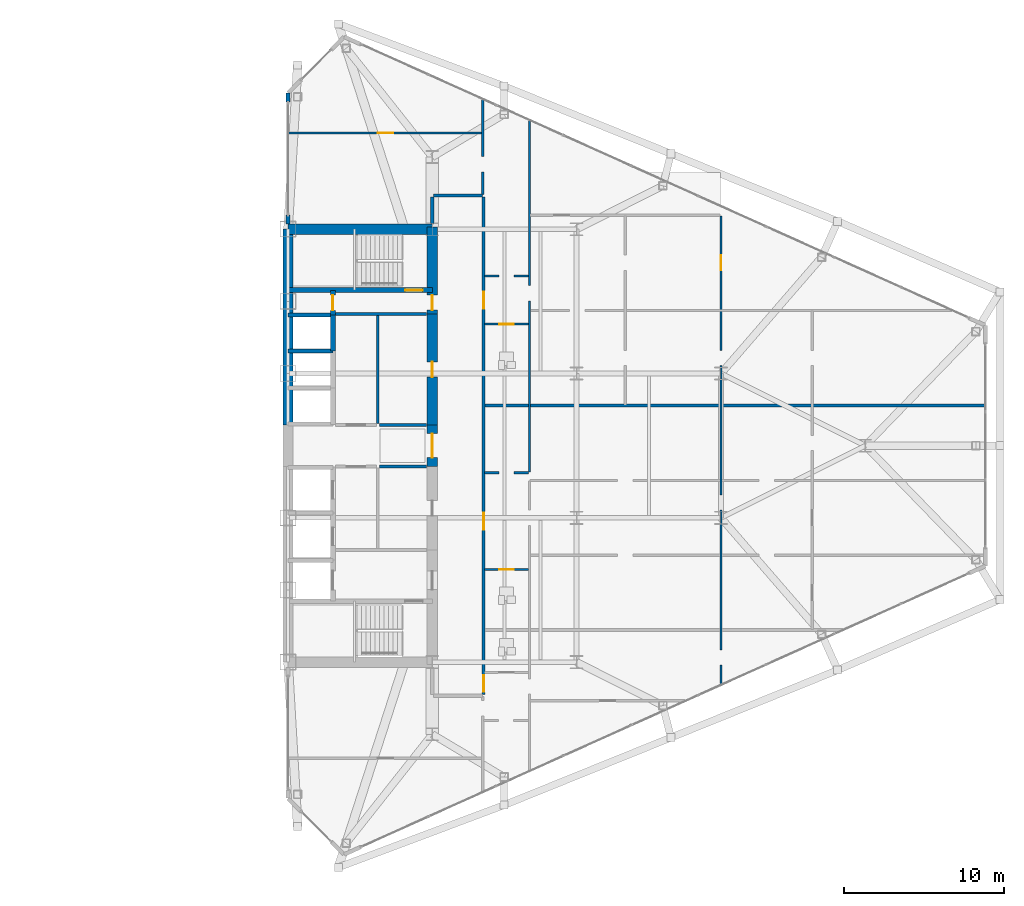
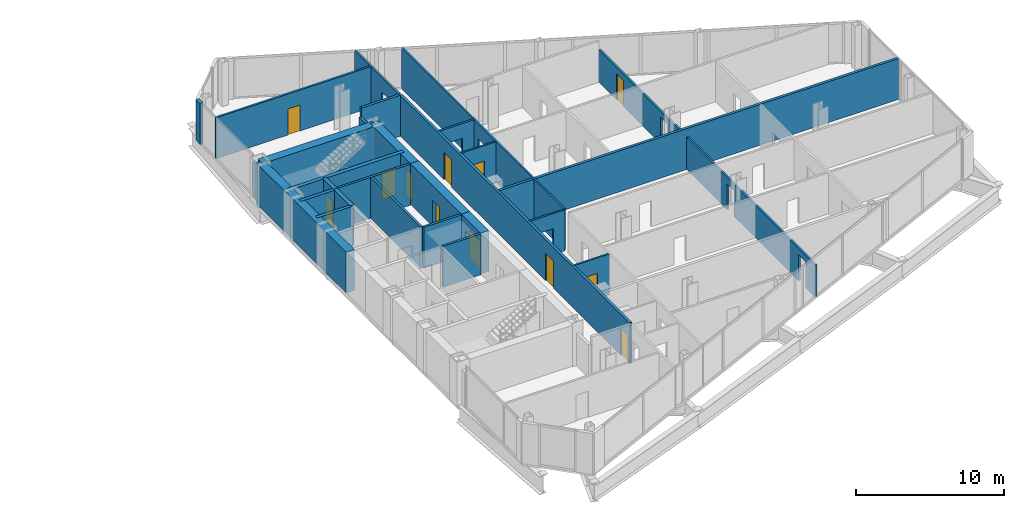
# One storey, part 24 of 29: 28 walls, 12 doors, 19 openings.
"""IFC4 building model written with IfcOpenShell, lengths in metres."""

from ifc_helpers import new_model, si_unit, direction, frame, frame_2d, origin, place, context, subcontext, project, spatial, rectangle, extrude, source, transform, mapped, material, layer, layer_set, type_object, type_shapes, element, fill, save


model = new_model("IFC4")

# Units and contexts
model_context = context("Model", 3, precision=1e-05, world=origin(), true_north=direction((0.0, 1.0)))
body_context = subcontext(model_context, "Body", "Model", "MODEL_VIEW")
ifc_project = project(units=[si_unit("LENGTHUNIT", "METRE"), si_unit("AREAUNIT", "SQUARE_METRE"), si_unit("VOLUMEUNIT", "CUBIC_METRE"), si_unit("PLANEANGLEUNIT", "RADIAN"), si_unit("MASSUNIT", "GRAM", prefix="KILO")], contexts=[model_context])

# Site, building, storey
site_placement = place(None, origin())
site = spatial("IfcSite", under=ifc_project, at=site_placement, CompositionType="ELEMENT")
building_placement = place(site_placement, origin())
building = spatial("IfcBuilding", under=site, at=building_placement, Name="Seokmaru Belvedere", CompositionType="ELEMENT")
storey_placement = place(building_placement, frame((0.0, 0.0, 62.10009765625)))
storey = spatial("IfcBuildingStorey", under=building, at=storey_placement, Name="L16", CompositionType="ELEMENT", Elevation=62.10009765625)

# Wall, opening
ifc_material_1 = material(Name="Fire-Rated Gypsum Shaftwall")
ifc_layer_1 = layer(ifc_material_1, 0.14990234375)
ifc_layer_set_1 = layer_set([ifc_layer_1], Name="Fire-Rated Gypsum Shaftwall")
wall_type_1 = type_object("IfcWallType", Name="Apartment Fire-Acoustic Room Partition 150", PredefinedType="PARTITIONING", material=ifc_layer_set_1)
wall_1_placement = place(storey_placement, frame((39.75, -1.699951171875, 0.0), z_axis=(0.0, 0.0, 1.0), x_axis=(1.0, 0.0, 0.0)))
wall_1 = element("IfcWall", 1, at=wall_1_placement, inside=storey, type_object=wall_type_1, Name="L16 Interior Partition 018", PredefinedType="PARTITIONING", context=body_context, shape_type="SweptSolid", body=[
    extrude(rectangle(XDim=2.75, YDim=0.14990234375, at=frame_2d((1.375, 0.0))), origin(), (0.0, 0.0, 1.0), 3.3798828125),
])
opening_1_placement = place(wall_1_placement, frame((0.89990234375, 0.0, 0.0)))
element("IfcOpeningElement", 2, at=opening_1_placement, cuts=wall_1, Name="L16 Cased Opening 036", PredefinedType="OPENING", context=body_context, shape_type="SweptSolid", body=[
    extrude(rectangle(XDim=0.949951171875, YDim=2.14990234375, at=frame_2d((0.47509765625, 1.074951171875))), frame((0.0, 0.0849609375, 0.0), z_axis=(0.0, -1.0, 0.0), x_axis=(1.0, 0.0, 0.0)), (0.0, 0.0, 1.0), 0.169921875),
])

wall_2_placement = place(storey_placement, frame((39.75, 10.580078125, 0.0), z_axis=(0.0, 0.0, 1.0), x_axis=(1.0, 0.0, 0.0)))
wall_2 = element("IfcWall", 3, at=wall_2_placement, inside=storey, type_object=wall_type_1, Name="L16 Interior Partition 027", PredefinedType="PARTITIONING", context=body_context, shape_type="SweptSolid", body=[
    extrude(rectangle(XDim=2.75, YDim=0.14990234375, at=frame_2d((1.375, 0.0))), origin(), (0.0, 0.0, 1.0), 3.3798828125),
])
opening_2_placement = place(wall_2_placement, frame((0.89990234375, 0.0, 0.0)))
element("IfcOpeningElement", 4, at=opening_2_placement, cuts=wall_2, Name="L16 Cased Opening 048", PredefinedType="OPENING", context=body_context, shape_type="SweptSolid", body=[
    extrude(rectangle(XDim=0.949951171875, YDim=2.14990234375, at=frame_2d((0.47509765625, 1.074951171875))), frame((0.0, 0.0849609375, 0.0), z_axis=(0.0, -1.0, 0.0), x_axis=(1.0, 0.0, 0.0)), (0.0, 0.0, 1.0), 0.169921875),
])

# Wall, opening, door
wall_3_placement = place(storey_placement, frame((27.465087890625, 19.5, 0.0), z_axis=(0.0, 0.0, 1.0), x_axis=(1.0, 0.0, 0.0)))
wall_3 = element("IfcWall", 5, at=wall_3_placement, inside=storey, type_object=wall_type_1, Name="L16 Interior Partition 031", PredefinedType="PARTITIONING", context=body_context, shape_type="SweptSolid", body=[
    extrude(rectangle(XDim=12.135009765625, YDim=0.14990234375, at=frame_2d((6.0673828125, 0.0))), origin(), (0.0, 0.0, 1.0), 3.3798828125),
])
opening_3_placement = place(wall_3_placement, frame((5.635009765625, 0.0, 0.0)))
opening_3 = element("IfcOpeningElement", 6, at=opening_3_placement, cuts=wall_3, Name="Opening D05", PredefinedType="OPENING", context=body_context, shape_type="SweptSolid", body=[
    extrude(rectangle(XDim=0.949951171875, YDim=2.14990234375, at=frame_2d((0.47509765625, 1.074951171875))), frame((0.0, 0.0849609375, 0.0), z_axis=(0.0, -1.0, 0.0), x_axis=(1.0, 0.0, 0.0)), (0.0, 0.0, 1.0), 0.169921875),
])
ifc_material_2 = material(Name="Engineered White Oak Timber", Category="wood")
door_type_1 = type_object("IfcDoorType", Name="Apartment Interior Fire-Rated Oak Door 950x2150", OperationType="NOTDEFINED", PredefinedType="DOOR", material=ifc_material_2)
shared_shape_1 = source(origin(), body_context, "Body", "SweptSolid", [
    extrude(rectangle(XDim=0.949951171875, YDim=2.14990234375, at=frame_2d((0.47509765625, 1.074951171875))), frame((0.0, 0.02490234375, 0.0), z_axis=(0.0, -1.0, 0.0), x_axis=(1.0, 0.0, 0.0)), (0.0, 0.0, 1.0), 0.050048828125),
])
type_shapes(door_type_1, [shared_shape_1])
door_1_placement = place(opening_3_placement, origin())
door_1 = element("IfcDoor", 7, at=door_1_placement, inside=storey, type_object=door_type_1, Name="L16 Interior Door 058", OperationType="SINGLE_SWING_LEFT", OverallHeight=2.14990234375, OverallWidth=0.949951171875, PredefinedType="DOOR", context=body_context, shape_type="MappedRepresentation", body=[
    mapped(shared_shape_1, transform((0.0, 0.0, 0.0), scale=1.0)),
])
fill(opening_3, door_1)

# Wall, opening
wall_4_placement = place(storey_placement, frame((39.64990234375, 15.64990234375, 0.0), z_axis=(0.0, 0.0, 1.0), x_axis=(0.0, 1.0, 0.0)))
wall_4 = element("IfcWall", 8, at=wall_4_placement, inside=storey, type_object=wall_type_1, Name="L16 Interior Partition 043", PredefinedType="PARTITIONING", context=body_context, shape_type="SweptSolid", body=[
    extrude(rectangle(XDim=5.9921875, YDim=0.14990234375, at=frame_2d((2.99609375, 0.0))), origin(), (0.0, 0.0, 1.0), 3.3798828125),
])
opening_4_placement = place(wall_4_placement, frame((1.425048828125, 0.0, 0.0)))
element("IfcOpeningElement", 9, at=opening_4_placement, cuts=wall_4, Name="L16 Cased Opening 057", PredefinedType="OPENING", context=body_context, shape_type="SweptSolid", body=[
    extrude(rectangle(XDim=0.949951171875, YDim=2.14990234375, at=frame_2d((0.47509765625, 1.074951171875))), frame((0.0, 0.0849609375, 0.0), z_axis=(0.0, -1.0, 0.0), x_axis=(1.0, 0.0, 0.0)), (0.0, 0.0, 1.0), 0.169921875),
])

# Wall, openings, door
wall_5_placement = place(storey_placement, frame((54.5, -14.9599609375, 0.0), z_axis=(0.0, 0.0, 1.0), x_axis=(0.0, 1.0, 0.0)))
wall_5 = element("IfcWall", 10, at=wall_5_placement, inside=storey, type_object=wall_type_1, Name="L16 Interior Partition 048", PredefinedType="PARTITIONING", context=body_context, shape_type="SweptSolid", body=[
    extrude(rectangle(XDim=29.278076171875, YDim=0.14990234375, at=frame_2d((14.63916015625, 0.0))), origin(), (0.0, 0.0, 1.0), 2.679931640625),
])
opening_5_placement = place(wall_5_placement, frame((1.2724609375, 0.0, 0.0)))
element("IfcOpeningElement", 11, at=opening_5_placement, cuts=wall_5, Name="L16 Cased Opening 031", PredefinedType="OPENING", context=body_context, shape_type="SweptSolid", body=[
    extrude(rectangle(XDim=0.949951171875, YDim=2.14990234375, at=frame_2d((0.47509765625, 1.074951171875))), frame((0.0, 0.0849609375, 0.0), z_axis=(0.0, -1.0, 0.0), x_axis=(1.0, 0.0, 0.0)), (0.0, 0.0, 1.0), 0.169921875),
])
opening_6_placement = place(wall_5_placement, frame((10.939697265625, 0.0, 0.0)))
element("IfcOpeningElement", 12, at=opening_6_placement, cuts=wall_5, Name="L16 Cased Opening 038", PredefinedType="OPENING", context=body_context, shape_type="SweptSolid", body=[
    extrude(rectangle(XDim=0.949951171875, YDim=2.14990234375, at=frame_2d((0.47509765625, 1.074951171875))), frame((0.0, 0.0849609375, 0.0), z_axis=(0.0, -1.0, 0.0), x_axis=(1.0, 0.0, 0.0)), (0.0, 0.0, 1.0), 0.169921875),
])
opening_7_placement = place(wall_5_placement, frame((25.88623046875, 0.0, 0.0)))
opening_7 = element("IfcOpeningElement", 13, at=opening_7_placement, cuts=wall_5, Name="Opening D05", PredefinedType="OPENING", context=body_context, shape_type="SweptSolid", body=[
    extrude(rectangle(XDim=0.949951171875, YDim=2.14990234375, at=frame_2d((0.47509765625, 1.074951171875))), frame((0.0, 0.0849609375, 0.0), z_axis=(0.0, -1.0, 0.0), x_axis=(1.0, 0.0, 0.0)), (0.0, 0.0, 1.0), 0.169921875),
])
opening_8_placement = place(wall_5_placement, frame((19.9521484375, 0.0, 0.0)))
element("IfcOpeningElement", 14, at=opening_8_placement, cuts=wall_5, Name="L16 Cased Opening 055", PredefinedType="OPENING", context=body_context, shape_type="SweptSolid", body=[
    extrude(rectangle(XDim=0.949951171875, YDim=2.14990234375, at=frame_2d((0.47509765625, 1.074951171875))), frame((0.0, 0.0849609375, 0.0), z_axis=(0.0, -1.0, 0.0), x_axis=(1.0, 0.0, 0.0)), (0.0, 0.0, 1.0), 0.169921875),
])
door_2_placement = place(opening_7_placement, origin())
door_2 = element("IfcDoor", 15, at=door_2_placement, inside=storey, type_object=door_type_1, Name="L16 Interior Door 053", OperationType="SINGLE_SWING_LEFT", OverallHeight=2.14990234375, OverallWidth=0.949951171875, PredefinedType="DOOR", context=body_context, shape_type="MappedRepresentation", body=[
    mapped(shared_shape_1, transform((0.0, 0.0, 0.0), scale=1.0)),
])
fill(opening_7, door_2)

# Walls
ifc_layer_2 = layer(ifc_material_1, 0.179931640625)
ifc_layer_set_2 = layer_set([ifc_layer_2], Name="Fire-Rated Gypsum Shaftwall")
wall_type_2 = type_object("IfcWallType", Name="Core Service Fire Partition 180", PredefinedType="PARTITIONING", material=ifc_layer_set_2)
wall_6_placement = place(storey_placement, frame((30.449951171875, 8.199951171875, 0.0), z_axis=(0.0, 0.0, 1.0), x_axis=(1.0, 0.0, 0.0)))
element("IfcWall", 16, at=wall_6_placement, inside=storey, type_object=wall_type_2, Name="L16 East Smokeproof Vestibule Partition", PredefinedType="PARTITIONING", context=body_context, shape_type="SweptSolid", body=[
    extrude(rectangle(XDim=5.699951171875, YDim=0.179931640625, at=frame_2d((2.85009765625, 0.0))), origin(), (0.0, 0.0, 1.0), 3.3798828125),
])
wall_7_placement = place(storey_placement, frame((33.10009765625, 1.3798828125, 0.0), z_axis=(0.0, 0.0, 1.0), x_axis=(0.0, 1.0, 0.0)))
element("IfcWall", 17, at=wall_7_placement, inside=storey, type_object=wall_type_2, Name="L16 East North Core Service Back Wall", PredefinedType="PARTITIONING", context=body_context, shape_type="SweptSolid", body=[
    extrude(rectangle(XDim=6.740234375, YDim=0.179931640625, at=frame_2d((3.3701171875, 0.0))), origin(), (0.0, 0.0, 1.0), 3.3798828125),
])
for number, where, z_axis, x_axis, name in (
    (18, (33.199951171875, -1.300048828125, 0.0), (0.0, 0.0, 1.0), (1.0, 0.0, 0.0), "L16 East Foyer Side Wall S"),
    (19, (33.199951171875, 1.300048828125, 0.0), (0.0, 0.0, 1.0), (1.0, 0.0, 0.0), "L16 East Foyer Side Wall N"),
):
    element("IfcWall", number, at=place(storey_placement, frame(where, z_axis=z_axis, x_axis=x_axis)), inside=storey, type_object=wall_type_2, Name=name, PredefinedType="PARTITIONING", context=body_context, shape_type="SweptSolid", body=[
        extrude(rectangle(XDim=2.949951171875, YDim=0.179931640625, at=frame_2d((1.47509765625, 0.0))), origin(), (0.0, 0.0, 1.0), 3.3798828125),
    ])
ifc_material_3 = material(Name="Concrete C50 (50 MPa)", Category="concrete")
ifc_layer_3 = layer(ifc_material_3, 0.25)
ifc_layer_set_3 = layer_set([ifc_layer_3], Name="Concrete C50 (50 MPa)")
wall_type_3 = type_object("IfcWallType", Name="Hoistway Transverse Concrete Divider Wall 250", PredefinedType="SHEAR", material=ifc_layer_set_3)
for number, where, z_axis, x_axis, name in (
    (20, (27.5, 5.89990234375, 0.0), (0.0, 0.0, 1.0), (1.0, 0.0, 0.0), "L16 East Hoistway Divider Core Wall 6"),
    (21, (27.5, 8.14990234375, 0.0), (0.0, 0.0, 1.0), (1.0, 0.0, 0.0), "L16 East Hoistway Divider Core Wall 7"),
):
    element("IfcWall", number, at=place(storey_placement, frame(where, z_axis=z_axis, x_axis=x_axis)), inside=storey, type_object=wall_type_3, Name=name, PredefinedType="SHEAR", context=body_context, shape_type="SweptSolid", body=[
        extrude(rectangle(XDim=2.800048828125, YDim=0.25, at=frame_2d((1.39990234375, 0.0))), origin(), (0.0, 0.0, 1.0), 3.3798828125),
    ])
ifc_layer_4 = layer(ifc_material_1, 0.199951171875)
ifc_layer_set_4 = layer_set([ifc_layer_4], Name="Fire-Rated Gypsum Shaftwall")
wall_type_4 = type_object("IfcWallType", Name="Inter-Tenancy Fire Compartment Partition 200", PredefinedType="PARTITIONING", material=ifc_layer_set_4)
wall_8_placement = place(storey_placement, frame((39.780029296875, 2.5, 0.0), z_axis=(0.0, 0.0, 1.0), x_axis=(1.0, 0.0, 0.0)))
element("IfcWall", 22, at=wall_8_placement, inside=storey, type_object=wall_type_4, Name="L16 Interior Partition 021", PredefinedType="PARTITIONING", context=body_context, shape_type="SweptSolid", body=[
    extrude(rectangle(XDim=31.224853515625, YDim=0.199951171875, at=frame_2d((15.6123046875, 0.0))), origin(), (0.0, 0.0, 1.0), 3.3798828125),
])
wall_9_placement = place(storey_placement, frame((36.5849609375, 15.60009765625, 0.0), z_axis=(0.0, 0.0, 1.0), x_axis=(1.0, 0.0, 0.0)))
element("IfcWall", 23, at=wall_9_placement, inside=storey, type_object=wall_type_4, Name="L16 Interior Partition 030", PredefinedType="PARTITIONING", context=body_context, shape_type="SweptSolid", body=[
    extrude(rectangle(XDim=3.030029296875, YDim=0.199951171875, at=frame_2d((1.51513671875, 0.0))), origin(), (0.0, 0.0, 1.0), 3.3798828125),
])
wall_10_placement = place(storey_placement, frame((36.5, 13.830078125, 0.0), z_axis=(0.0, 0.0, 1.0), x_axis=(0.0, 1.0, 0.0)))
element("IfcWall", 24, at=wall_10_placement, inside=storey, type_object=wall_type_4, Name="L16 Interior Partition 041", PredefinedType="PARTITIONING", context=body_context, shape_type="SweptSolid", body=[
    extrude(rectangle(XDim=1.684814453125, YDim=0.199951171875, at=frame_2d((0.84228515625, 0.0))), origin(), (0.0, 0.0, 1.0), 2.679931640625),
])

# Wall, openings, doors
wall_11_placement = place(storey_placement, frame((39.699951171875, -15.514892578125, 0.0), z_axis=(0.0, 0.0, 1.0), x_axis=(0.0, 1.0, 0.0)))
wall_11 = element("IfcWall", 25, at=wall_11_placement, inside=storey, type_object=wall_type_4, Name="L16 Interior Partition 044", PredefinedType="PARTITIONING", context=body_context, shape_type="SweptSolid", body=[
    extrude(rectangle(XDim=31.02978515625, YDim=0.199951171875, at=frame_2d((15.514892578125, 0.0))), origin(), (0.0, 0.0, 1.0), 3.3798828125),
])
opening_9_placement = place(wall_11_placement, frame((0.159912109375, 0.0, 0.0)))
opening_9 = element("IfcOpeningElement", 26, at=opening_9_placement, cuts=wall_11, Name="Opening D03", PredefinedType="OPENING", context=body_context, shape_type="SweptSolid", body=[
    extrude(rectangle(XDim=1.050048828125, YDim=2.25, at=frame_2d((0.52490234375, 1.125))), frame((0.0, 0.10986328125, 0.0), z_axis=(0.0, -1.0, 0.0), x_axis=(1.0, 0.0, 0.0)), (0.0, 0.0, 1.0), 0.219970703125),
])
opening_10_placement = place(wall_11_placement, frame((10.280029296875, 0.0, 0.0)))
opening_10 = element("IfcOpeningElement", 27, at=opening_10_placement, cuts=wall_11, Name="Opening D03", PredefinedType="OPENING", context=body_context, shape_type="SweptSolid", body=[
    extrude(rectangle(XDim=1.050048828125, YDim=2.25, at=frame_2d((0.52490234375, 1.125))), frame((0.0, 0.10986328125, 0.0), z_axis=(0.0, -1.0, 0.0), x_axis=(1.0, 0.0, 0.0)), (0.0, 0.0, 1.0), 0.219970703125),
])
opening_11_placement = place(wall_11_placement, frame((24.0673828125, 0.0, 0.0)))
opening_11 = element("IfcOpeningElement", 28, at=opening_11_placement, cuts=wall_11, Name="Opening D03", PredefinedType="OPENING", context=body_context, shape_type="SweptSolid", body=[
    extrude(rectangle(XDim=1.050048828125, YDim=2.25, at=frame_2d((0.52490234375, 1.125))), frame((0.0, 0.10986328125, 0.0), z_axis=(0.0, -1.0, 0.0), x_axis=(1.0, 0.0, 0.0)), (0.0, 0.0, 1.0), 0.219970703125),
])
ifc_material_4 = material(Name="Fire-Rated Steel Leaf", Category="steel")
door_type_2 = type_object("IfcDoorType", Name="Apartment Entrance Fire Door 1050x2250", OperationType="NOTDEFINED", PredefinedType="DOOR", material=ifc_material_4)
shared_shape_2 = source(origin(), body_context, "Body", "SweptSolid", [
    extrude(rectangle(XDim=1.050048828125, YDim=2.25, at=frame_2d((0.52490234375, 1.125))), frame((0.0, 0.02490234375, 0.0), z_axis=(0.0, -1.0, 0.0), x_axis=(1.0, 0.0, 0.0)), (0.0, 0.0, 1.0), 0.050048828125),
])
type_shapes(door_type_2, [shared_shape_2])
door_3_placement = place(opening_9_placement, origin())
door_3 = element("IfcDoor", 29, at=door_3_placement, inside=storey, type_object=door_type_2, Name="L16 Interior Door 026", OperationType="SINGLE_SWING_LEFT", OverallHeight=2.25, OverallWidth=1.050048828125, PredefinedType="DOOR", context=body_context, shape_type="MappedRepresentation", body=[
    mapped(shared_shape_2, transform((0.0, 0.0, 0.0), scale=1.0)),
])
fill(opening_9, door_3)
door_4_placement = place(opening_10_placement, origin())
door_4 = element("IfcDoor", 30, at=door_4_placement, inside=storey, type_object=door_type_2, Name="L16 Interior Door 034", OperationType="SINGLE_SWING_RIGHT", OverallHeight=2.25, OverallWidth=1.050048828125, PredefinedType="DOOR", context=body_context, shape_type="MappedRepresentation", body=[
    mapped(shared_shape_2, transform((0.0, 0.0, 0.0), scale=1.0)),
])
fill(opening_10, door_4)
door_5_placement = place(opening_11_placement, origin())
door_5 = element("IfcDoor", 31, at=door_5_placement, inside=storey, type_object=door_type_2, Name="L16 Interior Door 046", OperationType="SINGLE_SWING_LEFT", OverallHeight=2.25, OverallWidth=1.050048828125, PredefinedType="DOOR", context=body_context, shape_type="MappedRepresentation", body=[
    mapped(shared_shape_2, transform((0.0, 0.0, 0.0), scale=1.0)),
])
fill(opening_11, door_5)

# Wall, opening, door
ifc_layer_5 = layer(ifc_material_3, 0.300048828125)
ifc_layer_set_5 = layer_set([ifc_layer_5], Name="Concrete C50 (50 MPa)")
wall_type_5 = type_object("IfcWallType", Name="Internal Core Stair and Hoistway Wall 300", PredefinedType="SHEAR", material=ifc_layer_set_5)
wall_12_placement = place(storey_placement, frame((27.5, 9.699951171875, 0.0), z_axis=(0.0, 0.0, 1.0), x_axis=(1.0, 0.0, 0.0)))
wall_12 = element("IfcWall", 32, at=wall_12_placement, inside=storey, type_object=wall_type_5, Name="L16 East Stair ST-2 Enclosure Wall", PredefinedType="SHEAR", context=body_context, shape_type="SweptSolid", body=[
    extrude(rectangle(XDim=9.0, YDim=0.300048828125, at=frame_2d((4.5, 0.0))), origin(), (0.0, 0.0, 1.0), 3.3798828125),
])
opening_12_placement = place(wall_12_placement, frame((7.300048828125, 0.0, 0.0)))
opening_12 = element("IfcOpeningElement", 33, at=opening_12_placement, cuts=wall_12, Name="Opening D01", PredefinedType="OPENING", context=body_context, shape_type="SweptSolid", body=[
    extrude(rectangle(XDim=1.10009765625, YDim=2.199951171875, at=frame_2d((0.550048828125, 1.10009765625))), frame((0.0, 0.16015625, 0.0), z_axis=(0.0, -1.0, 0.0), x_axis=(1.0, 0.0, 0.0)), (0.0, 0.0, 1.0), 0.320068359375),
])
door_type_3 = type_object("IfcDoorType", Name="Special Escape Stair Smokeproof Fire Door 1100x2200", OperationType="NOTDEFINED", PredefinedType="DOOR", material=ifc_material_4)
shared_shape_3 = source(origin(), body_context, "Body", "SweptSolid", [
    extrude(rectangle(XDim=1.10009765625, YDim=2.199951171875, at=frame_2d((0.550048828125, 1.10009765625))), frame((0.0, 0.02490234375, 0.0), z_axis=(0.0, -1.0, 0.0), x_axis=(1.0, 0.0, 0.0)), (0.0, 0.0, 1.0), 0.050048828125),
])
type_shapes(door_type_3, [shared_shape_3])
door_6_placement = place(opening_12_placement, origin())
door_6 = element("IfcDoor", 34, at=door_6_placement, inside=storey, type_object=door_type_3, Name="L16 East Special Escape Stair ST-2 Door", OperationType="SINGLE_SWING_LEFT", OverallHeight=2.199951171875, OverallWidth=1.10009765625, PredefinedType="DOOR", context=body_context, shape_type="MappedRepresentation", body=[
    mapped(shared_shape_3, transform((0.0, 0.0, 0.0), scale=1.0)),
])
fill(opening_12, door_6)

# Wall
wall_13_placement = place(storey_placement, frame((30.300048828125, 5.89990234375, 0.0), z_axis=(0.0, 0.0, 1.0), x_axis=(0.0, 1.0, 0.0)))
element("IfcWall", 35, at=wall_13_placement, inside=storey, type_object=wall_type_5, Name="L16 East North Hoistway Wall OBS", PredefinedType="SHEAR", context=body_context, shape_type="SweptSolid", body=[
    extrude(rectangle(XDim=2.25, YDim=0.300048828125, at=frame_2d((1.125, 0.0))), origin(), (0.0, 0.0, 1.0), 3.3798828125),
])

# Wall, opening, door
wall_14_placement = place(storey_placement, frame((30.300048828125, 8.14990234375, 0.0), z_axis=(0.0, 0.0, 1.0), x_axis=(0.0, 1.0, 0.0)))
wall_14 = element("IfcWall", 36, at=wall_14_placement, inside=storey, type_object=wall_type_5, Name="L16 East Electrical Riser Front Wall", PredefinedType="SHEAR", context=body_context, shape_type="SweptSolid", body=[
    extrude(rectangle(XDim=1.530029296875, YDim=0.300048828125, at=frame_2d((0.76513671875, 0.0))), origin(), (0.0, 0.0, 1.0), 3.3798828125),
])
opening_13_placement = place(wall_14_placement, frame((0.284912109375, 0.0, 0.0)))
opening_13 = element("IfcOpeningElement", 37, at=opening_13_placement, cuts=wall_14, Name="Opening D04", PredefinedType="OPENING", context=body_context, shape_type="SweptSolid", body=[
    extrude(rectangle(XDim=0.949951171875, YDim=2.14990234375, at=frame_2d((0.47509765625, 1.074951171875))), frame((0.0, 0.16015625, 0.0), z_axis=(0.0, -1.0, 0.0), x_axis=(1.0, 0.0, 0.0)), (0.0, 0.0, 1.0), 0.320068359375),
])
door_type_4 = type_object("IfcDoorType", Name="Core Service Room Fire Door 950x2150", OperationType="NOTDEFINED", PredefinedType="DOOR", material=ifc_material_4)
shared_shape_4 = source(origin(), body_context, "Body", "SweptSolid", [
    extrude(rectangle(XDim=0.949951171875, YDim=2.14990234375, at=frame_2d((0.47509765625, 1.074951171875))), frame((0.0, 0.02490234375, 0.0), z_axis=(0.0, -1.0, 0.0), x_axis=(1.0, 0.0, 0.0)), (0.0, 0.0, 1.0), 0.050048828125),
])
type_shapes(door_type_4, [shared_shape_4])
door_7_placement = place(opening_13_placement, origin())
door_7 = element("IfcDoor", 38, at=door_7_placement, inside=storey, type_object=door_type_4, Name="L16 East Electrical Riser Access Door", OperationType="SINGLE_SWING_RIGHT", OverallHeight=2.14990234375, OverallWidth=0.949951171875, PredefinedType="DOOR", context=body_context, shape_type="MappedRepresentation", body=[
    mapped(shared_shape_4, transform((0.0, 0.0, 0.0), scale=1.0)),
])
fill(opening_13, door_7)

# Walls
ifc_material_5 = material(Name="Concrete C60 (60 MPa)", Category="concrete")
ifc_layer_6 = layer(ifc_material_5, 0.64990234375)
ifc_layer_set_6 = layer_set([ifc_layer_6], Name="Concrete C60 (60 MPa)")
wall_type_6 = type_object("IfcWallType", Name="Mid-Low Reinforced Concrete Core Wall 650", PredefinedType="SHEAR", material=ifc_layer_set_6)
wall_15_placement = place(storey_placement, frame((27.5, 1.300048828125, 0.0), z_axis=(0.0, 0.0, 1.0), x_axis=(0.0, 1.0, 0.0)))
element("IfcWall", 39, at=wall_15_placement, inside=storey, type_object=wall_type_6, Name="L16 East Portal Spine Core Wall North", PredefinedType="SHEAR", context=body_context, shape_type="SweptSolid", body=[
    extrude(rectangle(XDim=12.199951171875, YDim=0.64990234375, at=frame_2d((6.10009765625, 0.0))), origin(), (0.0, 0.0, 1.0), 3.3798828125),
])
wall_16_placement = place(storey_placement, frame((27.5, 13.5, 0.0), z_axis=(0.0, 0.0, 1.0), x_axis=(1.0, 0.0, 0.0)))
element("IfcWall", 40, at=wall_16_placement, inside=storey, type_object=wall_type_6, Name="L16 East North Core Wall", PredefinedType="SHEAR", context=body_context, shape_type="SweptSolid", body=[
    extrude(rectangle(XDim=9.0, YDim=0.64990234375, at=frame_2d((4.5, 0.0))), origin(), (0.0, 0.0, 1.0), 3.3798828125),
])

# Wall, opening, door
wall_17_placement = place(storey_placement, frame((36.5, -1.300048828125, 0.0), z_axis=(0.0, 0.0, 1.0), x_axis=(0.0, 1.0, 0.0)))
wall_17 = element("IfcWall", 41, at=wall_17_placement, inside=storey, type_object=wall_type_6, Name="L16 East West Core Wall FOY", PredefinedType="SHEAR", context=body_context, shape_type="SweptSolid", body=[
    extrude(rectangle(XDim=2.60009765625, YDim=0.64990234375, at=frame_2d((1.300048828125, 0.0))), origin(), (0.0, 0.0, 1.0), 3.3798828125),
])
opening_14_placement = place(wall_17_placement, frame((0.550048828125, 0.0, 0.0)))
opening_14 = element("IfcOpeningElement", 42, at=opening_14_placement, cuts=wall_17, Name="Opening D08", PredefinedType="OPENING", context=body_context, shape_type="SweptSolid", body=[
    extrude(rectangle(XDim=1.5, YDim=2.300048828125, at=frame_2d((0.75, 1.14990234375))), frame((0.0, 0.3349609375, 0.0), z_axis=(0.0, -1.0, 0.0), x_axis=(1.0, 0.0, 0.0)), (0.0, 0.0, 1.0), 0.669921875),
])
door_type_5 = type_object("IfcDoorType", Name="Cross-Corridor Compartment Double Fire Door 1500x2300", OperationType="DOUBLE_SWING_LEFT", PredefinedType="DOOR", material=ifc_material_4)
shared_shape_5 = source(origin(), body_context, "Body", "SweptSolid", [
    extrude(rectangle(XDim=1.5, YDim=2.300048828125, at=frame_2d((0.75, 1.14990234375))), frame((0.0, 0.02490234375, 0.0), z_axis=(0.0, -1.0, 0.0), x_axis=(1.0, 0.0, 0.0)), (0.0, 0.0, 1.0), 0.050048828125),
])
type_shapes(door_type_5, [shared_shape_5])
door_8_placement = place(opening_14_placement, origin())
door_8 = element("IfcDoor", 43, at=door_8_placement, inside=storey, type_object=door_type_5, Name="L16 East Core Foyer Compartment Door", OperationType="DOUBLE_SWING_LEFT", OverallHeight=2.300048828125, OverallWidth=1.5, PredefinedType="DOOR", context=body_context, shape_type="MappedRepresentation", body=[
    mapped(shared_shape_5, transform((0.0, 0.0, 0.0), scale=1.0)),
])
fill(opening_14, door_8)

wall_18_placement = place(storey_placement, frame((36.5, 8.199951171875, 0.0), z_axis=(0.0, 0.0, 1.0), x_axis=(0.0, 1.0, 0.0)))
wall_18 = element("IfcWall", 44, at=wall_18_placement, inside=storey, type_object=wall_type_6, Name="L16 East West Core Wall VST", PredefinedType="SHEAR", context=body_context, shape_type="SweptSolid", body=[
    extrude(rectangle(XDim=5.449951171875, YDim=0.64990234375, at=frame_2d((2.72509765625, 0.0))), origin(), (0.0, 0.0, 1.0), 3.3798828125),
])
opening_15_placement = place(wall_18_placement, frame((0.2451171875, 0.0, 0.0)))
opening_15 = element("IfcOpeningElement", 45, at=opening_15_placement, cuts=wall_18, Name="Opening D04", PredefinedType="OPENING", context=body_context, shape_type="SweptSolid", body=[
    extrude(rectangle(XDim=0.949951171875, YDim=2.14990234375, at=frame_2d((0.47509765625, 1.074951171875))), frame((0.0, 0.3349609375, 0.0), z_axis=(0.0, -1.0, 0.0), x_axis=(1.0, 0.0, 0.0)), (0.0, 0.0, 1.0), 0.669921875),
])
door_9_placement = place(opening_15_placement, origin())
door_9 = element("IfcDoor", 46, at=door_9_placement, inside=storey, type_object=door_type_4, Name="L16 East Smokeproof Vestibule Door", OperationType="SINGLE_SWING_LEFT", OverallHeight=2.14990234375, OverallWidth=0.949951171875, PredefinedType="DOOR", context=body_context, shape_type="MappedRepresentation", body=[
    mapped(shared_shape_4, transform((0.0, 0.0, 0.0), scale=1.0)),
])
fill(opening_15, door_9)

wall_19_placement = place(storey_placement, frame((36.5, 1.300048828125, 0.0), z_axis=(0.0, 0.0, 1.0), x_axis=(0.0, 1.0, 0.0)))
wall_19 = element("IfcWall", 47, at=wall_19_placement, inside=storey, type_object=wall_type_6, Name="L16 East West Core Wall CS2", PredefinedType="SHEAR", context=body_context, shape_type="SweptSolid", body=[
    extrude(rectangle(XDim=6.89990234375, YDim=0.64990234375, at=frame_2d((3.449951171875, 0.0))), origin(), (0.0, 0.0, 1.0), 3.3798828125),
])
opening_16_placement = place(wall_19_placement, frame((2.97509765625, 0.0, 0.0)))
opening_16 = element("IfcOpeningElement", 48, at=opening_16_placement, cuts=wall_19, Name="Opening D04", PredefinedType="OPENING", context=body_context, shape_type="SweptSolid", body=[
    extrude(rectangle(XDim=0.949951171875, YDim=2.14990234375, at=frame_2d((0.47509765625, 1.074951171875))), frame((0.0, 0.3349609375, 0.0), z_axis=(0.0, -1.0, 0.0), x_axis=(1.0, 0.0, 0.0)), (0.0, 0.0, 1.0), 0.669921875),
])
door_10_placement = place(opening_16_placement, origin())
door_10 = element("IfcDoor", 49, at=door_10_placement, inside=storey, type_object=door_type_4, Name="L16 East Core Service Room Door 2", OperationType="SINGLE_SWING_LEFT", OverallHeight=2.14990234375, OverallWidth=0.949951171875, PredefinedType="DOOR", context=body_context, shape_type="MappedRepresentation", body=[
    mapped(shared_shape_4, transform((0.0, 0.0, 0.0), scale=1.0)),
])
fill(opening_16, door_10)

ifc_layer_7 = layer(ifc_material_1, 0.1298828125)
ifc_layer_set_7 = layer_set([ifc_layer_7], Name="Fire-Rated Gypsum Shaftwall")
wall_type_7 = type_object("IfcWallType", Name="Moisture-Resistant Fire-Rated Bathroom Partition 130", PredefinedType="PARTITIONING", material=ifc_layer_set_7)
wall_20_placement = place(storey_placement, frame((39.75, -7.719970703125, 0.0), z_axis=(0.0, 0.0, 1.0), x_axis=(1.0, 0.0, 0.0)))
wall_20 = element("IfcWall", 50, at=wall_20_placement, inside=storey, type_object=wall_type_7, Name="L16 Interior Partition 014", PredefinedType="PARTITIONING", context=body_context, shape_type="SweptSolid", body=[
    extrude(rectangle(XDim=2.75, YDim=0.1298828125, at=frame_2d((1.375, 0.0))), origin(), (0.0, 0.0, 1.0), 3.3798828125),
])
opening_17_placement = place(wall_20_placement, frame((0.93505859375, 0.0, 0.0)))
opening_17 = element("IfcOpeningElement", 51, at=opening_17_placement, cuts=wall_20, Name="Opening D06", PredefinedType="OPENING", context=body_context, shape_type="SweptSolid", body=[
    extrude(rectangle(XDim=0.8798828125, YDim=2.10009765625, at=frame_2d((0.43994140625, 1.050048828125))), frame((0.0, 0.074951171875, 0.0), z_axis=(0.0, -1.0, 0.0), x_axis=(1.0, 0.0, 0.0)), (0.0, 0.0, 1.0), 0.14990234375),
])
door_type_6 = type_object("IfcDoorType", Name="Bathroom and Restroom Fire-Rated Door 880x2100", OperationType="NOTDEFINED", PredefinedType="DOOR", material=ifc_material_2)
shared_shape_6 = source(origin(), body_context, "Body", "SweptSolid", [
    extrude(rectangle(XDim=0.8798828125, YDim=2.10009765625, at=frame_2d((0.43994140625, 1.050048828125))), frame((0.0, 0.02490234375, 0.0), z_axis=(0.0, -1.0, 0.0), x_axis=(1.0, 0.0, 0.0)), (0.0, 0.0, 1.0), 0.050048828125),
])
type_shapes(door_type_6, [shared_shape_6])
door_11_placement = place(opening_17_placement, origin())
door_11 = element("IfcDoor", 52, at=door_11_placement, inside=storey, type_object=door_type_6, Name="L16 Interior Door 035", OperationType="SINGLE_SWING_RIGHT", OverallHeight=2.10009765625, OverallWidth=0.8798828125, PredefinedType="DOOR", context=body_context, shape_type="MappedRepresentation", body=[
    mapped(shared_shape_6, transform((0.0, 0.0, 0.0), scale=1.0)),
])
fill(opening_17, door_11)

wall_21_placement = place(storey_placement, frame((39.75, 7.580078125, 0.0), z_axis=(0.0, 0.0, 1.0), x_axis=(1.0, 0.0, 0.0)))
wall_21 = element("IfcWall", 53, at=wall_21_placement, inside=storey, type_object=wall_type_7, Name="L16 Interior Partition 024", PredefinedType="PARTITIONING", context=body_context, shape_type="SweptSolid", body=[
    extrude(rectangle(XDim=2.75, YDim=0.1298828125, at=frame_2d((1.375, 0.0))), origin(), (0.0, 0.0, 1.0), 3.3798828125),
])
opening_18_placement = place(wall_21_placement, frame((0.93505859375, 0.0, 0.0)))
opening_18 = element("IfcOpeningElement", 54, at=opening_18_placement, cuts=wall_21, Name="Opening D06", PredefinedType="OPENING", context=body_context, shape_type="SweptSolid", body=[
    extrude(rectangle(XDim=0.8798828125, YDim=2.10009765625, at=frame_2d((0.43994140625, 1.050048828125))), frame((0.0, 0.074951171875, 0.0), z_axis=(0.0, -1.0, 0.0), x_axis=(1.0, 0.0, 0.0)), (0.0, 0.0, 1.0), 0.14990234375),
])
door_12_placement = place(opening_18_placement, origin())
door_12 = element("IfcDoor", 55, at=door_12_placement, inside=storey, type_object=door_type_6, Name="L16 Interior Door 047", OperationType="SINGLE_SWING_RIGHT", OverallHeight=2.10009765625, OverallWidth=0.8798828125, PredefinedType="DOOR", context=body_context, shape_type="MappedRepresentation", body=[
    mapped(shared_shape_6, transform((0.0, 0.0, 0.0), scale=1.0)),
])
fill(opening_18, door_12)

# Wall, opening
wall_22_placement = place(storey_placement, frame((42.550048828125, -1.64794921875, 0.0), z_axis=(0.0, 0.0, 1.0), x_axis=(0.0, 1.0, 0.0)))
wall_22 = element("IfcWall", 56, at=wall_22_placement, inside=storey, type_object=wall_type_7, Name="L16 Interior Partition 046", PredefinedType="PARTITIONING", context=body_context, shape_type="SweptSolid", body=[
    extrude(rectangle(XDim=21.98486328125, YDim=0.1298828125, at=frame_2d((10.992431640625, 0.0))), origin(), (0.0, 0.0, 1.0), 3.3798828125),
])
opening_19_placement = place(wall_22_placement, frame((10.678955078125, 0.0, 0.0)))
element("IfcOpeningElement", 57, at=opening_19_placement, cuts=wall_22, Name="L16 Cased Opening 049", PredefinedType="OPENING", context=body_context, shape_type="SweptSolid", body=[
    extrude(rectangle(XDim=0.949951171875, YDim=2.14990234375, at=frame_2d((0.47509765625, 1.074951171875))), frame((0.0, 0.074951171875, 0.0), z_axis=(0.0, -1.0, 0.0), x_axis=(1.0, 0.0, 0.0)), (0.0, 0.0, 1.0), 0.14990234375),
])

# Walls
ifc_material_6 = material(Name="Anodised Bronze Aluminium", Category="aluminium")
ifc_layer_8 = layer(ifc_material_6, 0.239990234375)
ifc_layer_set_8 = layer_set([ifc_layer_8], Name="Anodised Bronze Aluminium")
wall_type_8 = type_object("IfcWallType", Name="Tower Corner Spandrel Closure Wall 240", PredefinedType="SOLIDWALL", material=ifc_layer_set_8)
wall_23_placement = place(storey_placement, frame((27.5, 13.830078125, 0.0), z_axis=(0.0, 0.0, 1.0), x_axis=(0.0, 1.0, 0.0)))
element("IfcWall", 58, at=wall_23_placement, inside=storey, type_object=wall_type_8, Name="L16 E Spine Closure Pier 2A", PredefinedType="SOLIDWALL", context=body_context, shape_type="SweptSolid", body=[
    extrude(rectangle(XDim=0.5498046875, YDim=0.239990234375, at=frame_2d((0.27490234375, 0.0))), origin(), (0.0, 0.0, 1.0), 2.8798828125),
])
wall_24_placement = place(storey_placement, frame((27.5, 21.429931640625, 0.0), z_axis=(0.0, 0.0, 1.0), x_axis=(0.0, 1.0, 0.0)))
element("IfcWall", 59, at=wall_24_placement, inside=storey, type_object=wall_type_8, Name="L16 E Spine Closure Pier 2B", PredefinedType="SOLIDWALL", context=body_context, shape_type="SweptSolid", body=[
    extrude(rectangle(XDim=0.550048828125, YDim=0.239990234375, at=frame_2d((0.27490234375, 0.0))), origin(), (0.0, 0.0, 1.0), 3.3798828125),
])

save(model, "model.ifc")
